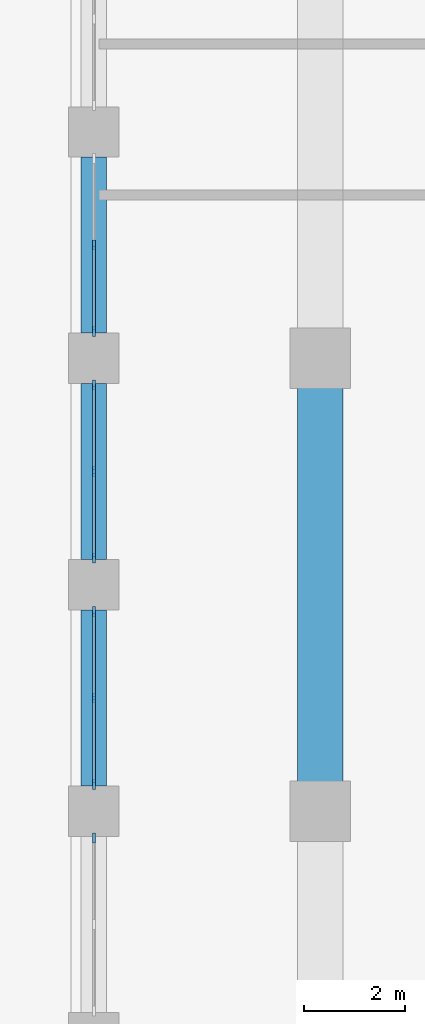
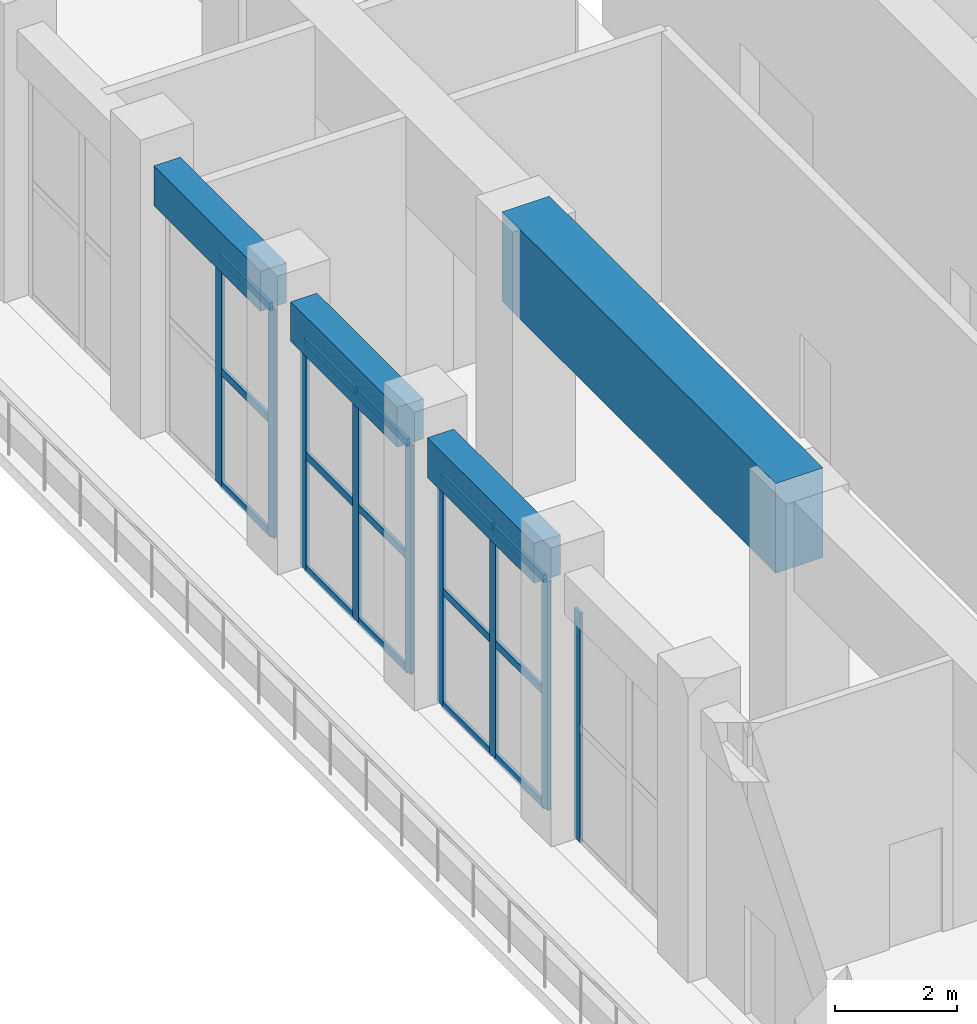
# One storey, part 3 of 25: 24 members, 4 beams, 4 elements without a shape of their own.
"""IFC4 building model written with IfcOpenShell, lengths in metres."""

import ifcopenshell
import ifcopenshell.guid

model = None  # the IFC model being written
_history = None  # IfcOwnerHistory: only IFC2X3 demands one
_inside = {}  # id of a spatial element -> (the spatial element, [elements in it])
_under = {}  # id of a project, library or spatial element -> (it, [spatial elements below it])
_declared = {}  # id of a project -> (the project, [libraries it declares])
_typed = {}  # id of a type object -> (the type object, [elements of that type])
_made_of = {}  # id of a material, layer set ... -> (it, [elements and type objects made of it])


def new_model(schema):
    """Start an empty IFC model of exactly this schema.

    Asked for "IFC4X3", IfcOpenShell would pick the latest addendum, in which some entities
    have other attributes; the version numbers below select the first issue.
    IFC2X3 requires an IfcOwnerHistory on every rooted entity: one is made here for all.
    """
    global model, _history
    if schema == "IFC4X3":
        model = ifcopenshell.file(schema_version=(4, 3, 0, 0))
    else:
        model = ifcopenshell.file(schema=schema)
    _inside.clear()
    _under.clear()
    _declared.clear()
    _typed.clear()
    _made_of.clear()
    _history = None
    if model.schema == "IFC2X3":
        org = make("IfcOrganization", Name="unknown")
        user = make(
            "IfcPersonAndOrganization",
            ThePerson=make("IfcPerson", FamilyName="unknown"),
            TheOrganization=org,
        )
        app = make(
            "IfcApplication",
            ApplicationDeveloper=org,
            Version="unknown",
            ApplicationFullName="unknown",
            ApplicationIdentifier="unknown",
        )
        _history = make(
            "IfcOwnerHistory",
            OwningUser=user,
            OwningApplication=app,
            ChangeAction="ADDED",
            CreationDate=0,
        )
    return model


def make(cls, **values):
    """One entity of the class cls with the attributes given. An attribute that is None is left unset."""
    return model.create_entity(
        cls, **{name: value for name, value in values.items() if value is not None}
    )


def rooted(cls, **values):
    """An entity with a GlobalId (a new one), such as an element, a storey or a relation."""
    return make(cls, GlobalId=ifcopenshell.guid.new(), OwnerHistory=_history, **values)


def si_unit(unit_type, name, prefix=None):
    """IfcSIUnit, for example si_unit("LENGTHUNIT", "METRE", prefix="MILLI")."""
    return make("IfcSIUnit", UnitType=unit_type, Prefix=prefix, Name=name)


def assignment(units):
    """IfcUnitAssignment: the units of a project."""
    return None if units is None else make("IfcUnitAssignment", Units=units)


def point(xyz):
    """IfcCartesianPoint."""
    return None if xyz is None else make("IfcCartesianPoint", Coordinates=xyz)


def direction(xyz):
    """IfcDirection."""
    return None if xyz is None else make("IfcDirection", DirectionRatios=xyz)


def frame(location, z_axis=None, x_axis=None):
    """IfcAxis2Placement3D, a coordinate frame: its origin and axes. An axis left out is left unset."""
    return make(
        "IfcAxis2Placement3D",
        Location=point(location),
        Axis=direction(z_axis),
        RefDirection=direction(x_axis),
    )


def frame_2d(location, x_axis=None):
    """IfcAxis2Placement2D, a coordinate frame in the plane: its origin and x axis."""
    return make(
        "IfcAxis2Placement2D", Location=point(location), RefDirection=direction(x_axis)
    )


def origin():
    """The frame at (0, 0, 0) with its axes left unset."""
    return frame((0.0, 0.0, 0.0))


def origin_2d():
    """The frame at (0, 0) in the plane with its x axis left unset."""
    return frame_2d((0.0, 0.0))


def place(relative_to, where):
    """IfcLocalPlacement: puts the frame where relative to a parent placement (None: the world)."""
    return make(
        "IfcLocalPlacement", PlacementRelTo=relative_to, RelativePlacement=where
    )


def context(
    kind, dimensions, precision=None, world=None, true_north=None, identifier=None
):
    """IfcGeometricRepresentationContext, for example the 3D "Model" context."""
    return make(
        "IfcGeometricRepresentationContext",
        ContextIdentifier=identifier,
        ContextType=kind,
        CoordinateSpaceDimension=dimensions,
        Precision=precision,
        WorldCoordinateSystem=world,
        TrueNorth=true_north,
    )


def subcontext(parent, identifier, kind, view, scale=None):
    """IfcGeometricRepresentationSubContext, for example "Body" below "Model"."""
    return make(
        "IfcGeometricRepresentationSubContext",
        ContextIdentifier=identifier,
        ContextType=kind,
        ParentContext=parent,
        TargetScale=scale,
        TargetView=view,
    )


def project(units=None, contexts=None):
    """IfcProject with its units and contexts."""
    return rooted(
        "IfcProject",
        Name="project",
        RepresentationContexts=contexts,
        UnitsInContext=assignment(units),
    )


def spatial(cls, under=None, at=None, **own):
    """A site, building, storey or space (cls), placed at a placement, below another one or the project."""
    s = rooted(cls, ObjectPlacement=at, **own)
    if under is not None:
        _under.setdefault(under.id(), (under, []))[1].append(s)
    return s


def profile(cls, at=None, kind="AREA", **sizes):
    """A parametric profile (cls). Its sizes go by their IFC names, for example OverallWidth=200.0."""
    return make(cls, ProfileType=kind, Position=at, **sizes)


def rectangle(**sizes):
    """IfcRectangleProfileDef."""
    return profile("IfcRectangleProfileDef", **sizes)


def extrude(swept, where, along, depth):
    """IfcExtrudedAreaSolid: the profile swept, set in the frame where, extruded along a direction by depth."""
    return make(
        "IfcExtrudedAreaSolid",
        SweptArea=swept,
        Position=where,
        ExtrudedDirection=direction(along),
        Depth=depth,
    )


def shape(context_of_items, identifier, shape_type, items):
    """IfcShapeRepresentation: the items that make up one representation, for example the "Body"."""
    return make(
        "IfcShapeRepresentation",
        ContextOfItems=context_of_items,
        RepresentationIdentifier=identifier,
        RepresentationType=shape_type,
        Items=items,
    )


def material(Name=None, Category=None):
    """IfcMaterial."""
    return make("IfcMaterial", Name=Name, Category=Category)


def material_profile(
    of_material, cross_section, Name=None, Category=None, Priority=None
):
    """IfcMaterialProfile: a cross section and its material."""
    return make(
        "IfcMaterialProfile",
        Name=Name,
        Material=of_material,
        Profile=cross_section,
        Priority=Priority,
        Category=Category,
    )


def profile_set(profiles, Name=None, composite=None):
    """IfcMaterialProfileSet."""
    return make(
        "IfcMaterialProfileSet",
        Name=Name,
        MaterialProfiles=profiles,
        CompositeProfile=composite,
    )


def made_of(thing, what):
    """Note that an element or type object is made of a material, layer set ...; save() writes the relation."""
    if what is not None:
        _made_of.setdefault(what.id(), (what, []))[1].append(thing)
    return thing


def type_object(cls, material=None, **own):
    """A type object (cls), such as IfcWallType, which elements share."""
    return made_of(rooted(cls, **own), material)


def element(
    cls,
    number,
    at=None,
    inside=None,
    cuts=None,
    type_object=None,
    material=None,
    context=None,
    identifier="Body",
    shape_type=None,
    held_by="IfcProductDefinitionShape",
    body=None,
    shapes=None,
    **own,
):
    """One element of the class cls, such as IfcWall. Its Tag is "e" and its number.

    at: its placement. inside: the storey or other place that contains it. cuts: it is an
    opening in that element (IfcRelVoidsElement). A single representation is given by context,
    identifier, shape_type and body (its items); several are given by shapes. held_by: the class
    of the entity that holds the representations. save() writes the other relations.
    """
    e = rooted(cls, Tag="e%d" % number, ObjectPlacement=at, **own)
    if body is not None:
        shapes = [shape(context, identifier, shape_type, body)]
    if shapes is not None:
        e.Representation = make(held_by, Representations=shapes)
    if inside is not None:
        _inside.setdefault(inside.id(), (inside, []))[1].append(e)
    if cuts is not None:
        rooted(
            "IfcRelVoidsElement", RelatingBuildingElement=cuts, RelatedOpeningElement=e
        )
    if type_object is not None:
        _typed.setdefault(type_object.id(), (type_object, []))[1].append(e)
    return made_of(e, material)


def aggregate(whole, parts):
    """IfcRelAggregates: a whole, such as a stair, and the parts it consists of."""
    return rooted("IfcRelAggregates", RelatingObject=whole, RelatedObjects=parts)


def save(model, path):
    """Write the relations noted so far, then the file.

    IfcRelAggregates (storeys below a building ...), IfcRelContainedInSpatialStructure (elements
    in a storey), IfcRelDefinesByType, IfcRelAssociatesMaterial and IfcRelDeclares: one each for
    every whole, place, type object, material and project.
    """
    for whole, parts in _under.values():
        aggregate(whole, parts)
    for where, things in _inside.values():
        rooted(
            "IfcRelContainedInSpatialStructure",
            RelatedElements=things,
            RelatingStructure=where,
        )
    for kind, things in _typed.values():
        rooted("IfcRelDefinesByType", RelatedObjects=things, RelatingType=kind)
    for what, things in _made_of.values():
        rooted("IfcRelAssociatesMaterial", RelatedObjects=things, RelatingMaterial=what)
    for by, libraries in _declared.values():
        rooted("IfcRelDeclares", RelatingContext=by, RelatedDefinitions=libraries)
    model.write(path)


model = new_model("IFC4")

# Units and contexts
model_context = context("Model", 3, precision=1e-05, world=origin(), true_north=direction((0.0, 1.0)))
body_context = subcontext(model_context, "Body", "Model", "MODEL_VIEW")
ifc_project = project(units=[si_unit("LENGTHUNIT", "METRE"), si_unit("AREAUNIT", "SQUARE_METRE"), si_unit("VOLUMEUNIT", "CUBIC_METRE"), si_unit("PLANEANGLEUNIT", "RADIAN"), si_unit("MASSUNIT", "GRAM", prefix="KILO")], contexts=[model_context])

# Site, building, storey
site_placement = place(None, origin())
site = spatial("IfcSite", under=ifc_project, at=site_placement, CompositionType="ELEMENT")
building_placement = place(site_placement, origin())
building = spatial("IfcBuilding", under=site, at=building_placement, Name="Corbel Stack Research Tower", CompositionType="ELEMENT")
storey_placement = place(building_placement, frame((0.0, 0.0, 220.199951171875)))
storey = spatial("IfcBuildingStorey", under=building, at=storey_placement, Name="L50", CompositionType="ELEMENT", Elevation=220.199951171875)

# Curtain wall, members
ifc_material_1 = material(Name="Aluminium frame, clear glass", Category="aluminium")
curtain_wall_type = type_object("IfcCurtainWallType", Name="Upper amenity floor curtain wall CW3", PredefinedType="NOTDEFINED", material=ifc_material_1)
curtain_wall_1_placement = place(storey_placement, origin())
curtain_wall_1 = element("IfcCurtainWall", 1, at=curtain_wall_1_placement, inside=storey, type_object=curtain_wall_type, Name="Curtain wall CW3 L50 W05", PredefinedType="NOTDEFINED")
ifc_material_2 = material(Name="Aluminium mullion", Category="aluminium")
ifc_material_profile_1 = material_profile(ifc_material_2, rectangle(XDim=0.06005859375, YDim=0.199951171875, at=origin_2d()), Name="Mullion 60 x 200")
ifc_profile_set_1 = profile_set([ifc_material_profile_1], Name="Aluminium mullion")
member_type_1 = type_object("IfcMemberType", Name="Curtain wall mullion 60 x 200", PredefinedType="MULLION", material=ifc_profile_set_1)
member_1_placement = place(storey_placement, frame((-22.5, 2.25, 0.0), z_axis=(0.0, 0.0, 1.0), x_axis=(1.0, 0.0, 0.0)))
member_1 = element("IfcMember", 2, at=member_1_placement, type_object=member_type_1, Name="CW3 mullion 2", PredefinedType="MULLION", context=body_context, shape_type="SweptSolid", body=[
    extrude(rectangle(XDim=0.06005859375, YDim=0.199951171875, at=origin_2d()), origin(), (0.0, 0.0, 1.0), 4.60009765625),
])
member_2_placement = place(storey_placement, frame((-22.5, 0.530029296875, 0.0), z_axis=(0.0, 0.0, 1.0), x_axis=(1.0, 0.0, 0.0)))
member_2 = element("IfcMember", 3, at=member_2_placement, type_object=member_type_1, Name="CW3 mullion 3", PredefinedType="MULLION", context=body_context, shape_type="SweptSolid", body=[
    extrude(rectangle(XDim=0.06005859375, YDim=0.199951171875, at=origin_2d()), origin(), (0.0, 0.0, 1.0), 4.60009765625),
])

curtain_wall_2_placement = place(storey_placement, origin())
curtain_wall_2 = element("IfcCurtainWall", 4, at=curtain_wall_2_placement, inside=storey, type_object=curtain_wall_type, Name="Curtain wall CW3 L50 W06", PredefinedType="NOTDEFINED")
member_3_placement = place(storey_placement, frame((-22.5, -0.530029296875, 0.0), z_axis=(0.0, 0.0, 1.0), x_axis=(1.0, 0.0, 0.0)))
member_3 = element("IfcMember", 5, at=member_3_placement, type_object=member_type_1, Name="CW3 mullion 1", PredefinedType="MULLION", context=body_context, shape_type="SweptSolid", body=[
    extrude(rectangle(XDim=0.06005859375, YDim=0.199951171875, at=origin_2d()), origin(), (0.0, 0.0, 1.0), 4.60009765625),
])
member_4_placement = place(storey_placement, frame((-22.5, -2.25, 0.0), z_axis=(0.0, 0.0, 1.0), x_axis=(1.0, 0.0, 0.0)))
member_4 = element("IfcMember", 6, at=member_4_placement, type_object=member_type_1, Name="CW3 mullion 2", PredefinedType="MULLION", context=body_context, shape_type="SweptSolid", body=[
    extrude(rectangle(XDim=0.06005859375, YDim=0.199951171875, at=origin_2d()), origin(), (0.0, 0.0, 1.0), 4.60009765625),
])
member_5_placement = place(storey_placement, frame((-22.5, -3.969970703125, 0.0), z_axis=(0.0, 0.0, 1.0), x_axis=(1.0, 0.0, 0.0)))
member_5 = element("IfcMember", 7, at=member_5_placement, type_object=member_type_1, Name="CW3 mullion 3", PredefinedType="MULLION", context=body_context, shape_type="SweptSolid", body=[
    extrude(rectangle(XDim=0.06005859375, YDim=0.199951171875, at=origin_2d()), origin(), (0.0, 0.0, 1.0), 4.60009765625),
])

curtain_wall_3_placement = place(storey_placement, origin())
curtain_wall_3 = element("IfcCurtainWall", 8, at=curtain_wall_3_placement, inside=storey, type_object=curtain_wall_type, Name="Curtain wall CW3 L50 W07", PredefinedType="NOTDEFINED")
member_6_placement = place(storey_placement, frame((-22.5, -5.030029296875, 0.0), z_axis=(0.0, 0.0, 1.0), x_axis=(1.0, 0.0, 0.0)))
member_6 = element("IfcMember", 9, at=member_6_placement, type_object=member_type_1, Name="CW3 mullion 1", PredefinedType="MULLION", context=body_context, shape_type="SweptSolid", body=[
    extrude(rectangle(XDim=0.06005859375, YDim=0.199951171875, at=origin_2d()), origin(), (0.0, 0.0, 1.0), 4.60009765625),
])
member_7_placement = place(storey_placement, frame((-22.5, -6.75, 0.0), z_axis=(0.0, 0.0, 1.0), x_axis=(1.0, 0.0, 0.0)))
member_7 = element("IfcMember", 10, at=member_7_placement, type_object=member_type_1, Name="CW3 mullion 2", PredefinedType="MULLION", context=body_context, shape_type="SweptSolid", body=[
    extrude(rectangle(XDim=0.06005859375, YDim=0.199951171875, at=origin_2d()), origin(), (0.0, 0.0, 1.0), 4.60009765625),
])
member_8_placement = place(storey_placement, frame((-22.5, -8.469970703125, 0.0), z_axis=(0.0, 0.0, 1.0), x_axis=(1.0, 0.0, 0.0)))
member_8 = element("IfcMember", 11, at=member_8_placement, type_object=member_type_1, Name="CW3 mullion 3", PredefinedType="MULLION", context=body_context, shape_type="SweptSolid", body=[
    extrude(rectangle(XDim=0.06005859375, YDim=0.199951171875, at=origin_2d()), origin(), (0.0, 0.0, 1.0), 4.60009765625),
])

# Curtain wall, member
curtain_wall_4_placement = place(storey_placement, origin())
curtain_wall_4 = element("IfcCurtainWall", 12, at=curtain_wall_4_placement, inside=storey, type_object=curtain_wall_type, Name="Curtain wall CW3 L50 W08", PredefinedType="NOTDEFINED")
member_9_placement = place(storey_placement, frame((-22.5, -9.530029296875, 0.0), z_axis=(0.0, 0.0, 1.0), x_axis=(1.0, 0.0, 0.0)))
member_9 = element("IfcMember", 13, at=member_9_placement, type_object=member_type_1, Name="CW3 mullion 1", PredefinedType="MULLION", context=body_context, shape_type="SweptSolid", body=[
    extrude(rectangle(XDim=0.06005859375, YDim=0.199951171875, at=origin_2d()), origin(), (0.0, 0.0, 1.0), 4.60009765625),
])
aggregate(curtain_wall_4, [member_9])

# Member
ifc_material_3 = material(Name="Aluminium transom", Category="aluminium")
ifc_material_profile_2 = material_profile(ifc_material_3, rectangle(XDim=0.06005859375, YDim=0.14990234375, at=origin_2d()), Name="Transom 60 x 150")
ifc_profile_set_2 = profile_set([ifc_material_profile_2], Name="Aluminium transom")
member_type_2 = type_object("IfcMemberType", Name="Curtain wall transom 60 x 150", PredefinedType="USERDEFINED", material=ifc_profile_set_2)
member_10_placement = place(storey_placement, frame((-22.5, 2.219970703125, 0.030029296875), z_axis=(0.0, -1.0, 0.0), x_axis=(1.0, 0.0, 0.0)))
member_10 = element("IfcMember", 14, at=member_10_placement, type_object=member_type_2, Name="CW3 transom 2.1", ObjectType="TRANSOM", PredefinedType="USERDEFINED", context=body_context, shape_type="SweptSolid", body=[
    extrude(rectangle(XDim=0.06005859375, YDim=0.14990234375, at=origin_2d()), origin(), (0.0, 0.0, 1.0), 1.659912109375),
])

member_11_placement = place(storey_placement, frame((-22.5, 2.219970703125, 2.300048828125), z_axis=(0.0, -1.0, 0.0), x_axis=(1.0, 0.0, 0.0)))
member_11 = element("IfcMember", 15, at=member_11_placement, type_object=member_type_2, Name="CW3 transom 2.2", ObjectType="TRANSOM", PredefinedType="USERDEFINED", context=body_context, shape_type="SweptSolid", body=[
    extrude(rectangle(XDim=0.06005859375, YDim=0.14990234375, at=origin_2d()), origin(), (0.0, 0.0, 1.0), 1.659912109375),
])

member_12_placement = place(storey_placement, frame((-22.5, 2.219970703125, 4.570068359375), z_axis=(0.0, -1.0, 0.0), x_axis=(1.0, 0.0, 0.0)))
member_12 = element("IfcMember", 16, at=member_12_placement, type_object=member_type_2, Name="CW3 transom 2.3", ObjectType="TRANSOM", PredefinedType="USERDEFINED", context=body_context, shape_type="SweptSolid", body=[
    extrude(rectangle(XDim=0.06005859375, YDim=0.14990234375, at=origin_2d()), origin(), (0.0, 0.0, 1.0), 1.659912109375),
])

aggregate(curtain_wall_1, [member_1, member_2, member_10, member_11, member_12])

member_13_placement = place(storey_placement, frame((-22.5, -0.56005859375, 0.030029296875), z_axis=(0.0, -1.0, 0.0), x_axis=(1.0, 0.0, 0.0)))
member_13 = element("IfcMember", 17, at=member_13_placement, type_object=member_type_2, Name="CW3 transom 1.1", ObjectType="TRANSOM", PredefinedType="USERDEFINED", context=body_context, shape_type="SweptSolid", body=[
    extrude(rectangle(XDim=0.06005859375, YDim=0.14990234375, at=origin_2d()), origin(), (0.0, 0.0, 1.0), 1.659912109375),
])

member_14_placement = place(storey_placement, frame((-22.5, -0.56005859375, 2.300048828125), z_axis=(0.0, -1.0, 0.0), x_axis=(1.0, 0.0, 0.0)))
member_14 = element("IfcMember", 18, at=member_14_placement, type_object=member_type_2, Name="CW3 transom 1.2", ObjectType="TRANSOM", PredefinedType="USERDEFINED", context=body_context, shape_type="SweptSolid", body=[
    extrude(rectangle(XDim=0.06005859375, YDim=0.14990234375, at=origin_2d()), origin(), (0.0, 0.0, 1.0), 1.659912109375),
])

member_15_placement = place(storey_placement, frame((-22.5, -0.56005859375, 4.570068359375), z_axis=(0.0, -1.0, 0.0), x_axis=(1.0, 0.0, 0.0)))
member_15 = element("IfcMember", 19, at=member_15_placement, type_object=member_type_2, Name="CW3 transom 1.3", ObjectType="TRANSOM", PredefinedType="USERDEFINED", context=body_context, shape_type="SweptSolid", body=[
    extrude(rectangle(XDim=0.06005859375, YDim=0.14990234375, at=origin_2d()), origin(), (0.0, 0.0, 1.0), 1.659912109375),
])

member_16_placement = place(storey_placement, frame((-22.5, -2.280029296875, 0.030029296875), z_axis=(0.0, -1.0, 0.0), x_axis=(1.0, 0.0, 0.0)))
member_16 = element("IfcMember", 20, at=member_16_placement, type_object=member_type_2, Name="CW3 transom 2.1", ObjectType="TRANSOM", PredefinedType="USERDEFINED", context=body_context, shape_type="SweptSolid", body=[
    extrude(rectangle(XDim=0.06005859375, YDim=0.14990234375, at=origin_2d()), origin(), (0.0, 0.0, 1.0), 1.659912109375),
])

member_17_placement = place(storey_placement, frame((-22.5, -2.280029296875, 2.300048828125), z_axis=(0.0, -1.0, 0.0), x_axis=(1.0, 0.0, 0.0)))
member_17 = element("IfcMember", 21, at=member_17_placement, type_object=member_type_2, Name="CW3 transom 2.2", ObjectType="TRANSOM", PredefinedType="USERDEFINED", context=body_context, shape_type="SweptSolid", body=[
    extrude(rectangle(XDim=0.06005859375, YDim=0.14990234375, at=origin_2d()), origin(), (0.0, 0.0, 1.0), 1.659912109375),
])

member_18_placement = place(storey_placement, frame((-22.5, -2.280029296875, 4.570068359375), z_axis=(0.0, -1.0, 0.0), x_axis=(1.0, 0.0, 0.0)))
member_18 = element("IfcMember", 22, at=member_18_placement, type_object=member_type_2, Name="CW3 transom 2.3", ObjectType="TRANSOM", PredefinedType="USERDEFINED", context=body_context, shape_type="SweptSolid", body=[
    extrude(rectangle(XDim=0.06005859375, YDim=0.14990234375, at=origin_2d()), origin(), (0.0, 0.0, 1.0), 1.659912109375),
])

aggregate(curtain_wall_2, [member_3, member_4, member_5, member_13, member_14, member_15, member_16, member_17, member_18])

member_19_placement = place(storey_placement, frame((-22.5, -5.06005859375, 0.030029296875), z_axis=(0.0, -1.0, 0.0), x_axis=(1.0, 0.0, 0.0)))
member_19 = element("IfcMember", 23, at=member_19_placement, type_object=member_type_2, Name="CW3 transom 1.1", ObjectType="TRANSOM", PredefinedType="USERDEFINED", context=body_context, shape_type="SweptSolid", body=[
    extrude(rectangle(XDim=0.06005859375, YDim=0.14990234375, at=origin_2d()), origin(), (0.0, 0.0, 1.0), 1.659912109375),
])

member_20_placement = place(storey_placement, frame((-22.5, -5.06005859375, 2.300048828125), z_axis=(0.0, -1.0, 0.0), x_axis=(1.0, 0.0, 0.0)))
member_20 = element("IfcMember", 24, at=member_20_placement, type_object=member_type_2, Name="CW3 transom 1.2", ObjectType="TRANSOM", PredefinedType="USERDEFINED", context=body_context, shape_type="SweptSolid", body=[
    extrude(rectangle(XDim=0.06005859375, YDim=0.14990234375, at=origin_2d()), origin(), (0.0, 0.0, 1.0), 1.659912109375),
])

member_21_placement = place(storey_placement, frame((-22.5, -5.06005859375, 4.570068359375), z_axis=(0.0, -1.0, 0.0), x_axis=(1.0, 0.0, 0.0)))
member_21 = element("IfcMember", 25, at=member_21_placement, type_object=member_type_2, Name="CW3 transom 1.3", ObjectType="TRANSOM", PredefinedType="USERDEFINED", context=body_context, shape_type="SweptSolid", body=[
    extrude(rectangle(XDim=0.06005859375, YDim=0.14990234375, at=origin_2d()), origin(), (0.0, 0.0, 1.0), 1.659912109375),
])

member_22_placement = place(storey_placement, frame((-22.5, -6.780029296875, 0.030029296875), z_axis=(0.0, -1.0, 0.0), x_axis=(1.0, 0.0, 0.0)))
member_22 = element("IfcMember", 26, at=member_22_placement, type_object=member_type_2, Name="CW3 transom 2.1", ObjectType="TRANSOM", PredefinedType="USERDEFINED", context=body_context, shape_type="SweptSolid", body=[
    extrude(rectangle(XDim=0.06005859375, YDim=0.14990234375, at=origin_2d()), origin(), (0.0, 0.0, 1.0), 1.659912109375),
])

member_23_placement = place(storey_placement, frame((-22.5, -6.780029296875, 2.300048828125), z_axis=(0.0, -1.0, 0.0), x_axis=(1.0, 0.0, 0.0)))
member_23 = element("IfcMember", 27, at=member_23_placement, type_object=member_type_2, Name="CW3 transom 2.2", ObjectType="TRANSOM", PredefinedType="USERDEFINED", context=body_context, shape_type="SweptSolid", body=[
    extrude(rectangle(XDim=0.06005859375, YDim=0.14990234375, at=origin_2d()), origin(), (0.0, 0.0, 1.0), 1.659912109375),
])

member_24_placement = place(storey_placement, frame((-22.5, -6.780029296875, 4.570068359375), z_axis=(0.0, -1.0, 0.0), x_axis=(1.0, 0.0, 0.0)))
member_24 = element("IfcMember", 28, at=member_24_placement, type_object=member_type_2, Name="CW3 transom 2.3", ObjectType="TRANSOM", PredefinedType="USERDEFINED", context=body_context, shape_type="SweptSolid", body=[
    extrude(rectangle(XDim=0.06005859375, YDim=0.14990234375, at=origin_2d()), origin(), (0.0, 0.0, 1.0), 1.659912109375),
])

aggregate(curtain_wall_3, [member_6, member_7, member_8, member_19, member_20, member_21, member_22, member_23, member_24])

# Beams
ifc_material_4 = material(Name="Concrete C60/75", Category="concrete")
ifc_material_profile_3 = material_profile(ifc_material_4, rectangle(XDim=0.5, YDim=0.800048828125, at=origin_2d()), Name="RC 500 x 800")
ifc_profile_set_3 = profile_set([ifc_material_profile_3], Name="Concrete C60/75")
beam_type_1 = type_object("IfcBeamType", Name="SB-500-800-600", PredefinedType="SPANDREL", material=ifc_profile_set_3)
for number, where, z_axis, x_axis, name in (
    (29, (-22.5, 4.0, 5.0), (0.0, -1.0, 0.0), (1.0, 0.0, 0.0), "Spandrel beam L50-38"),
    (30, (-22.5, -0.5, 5.0), (0.0, -1.0, 0.0), (1.0, 0.0, 0.0), "Spandrel beam L50-39"),
    (31, (-22.5, -5.0, 5.0), (0.0, -1.0, 0.0), (1.0, 0.0, 0.0), "Spandrel beam L50-40"),
):
    element("IfcBeam", number, at=place(storey_placement, frame(where, z_axis=z_axis, x_axis=x_axis)), inside=storey, type_object=beam_type_1, Name=name, PredefinedType="SPANDREL", context=body_context, shape_type="SweptSolid", body=[
        extrude(rectangle(XDim=0.5, YDim=0.800048828125, at=origin_2d()), origin(), (0.0, 0.0, 1.0), 3.5),
    ])
ifc_material_5 = material(Name="Concrete C60/75", Category="concrete")
ifc_material_profile_4 = material_profile(ifc_material_5, rectangle(XDim=0.89990234375, YDim=1.800048828125, at=origin_2d()), Name="RC 900 x 1800")
ifc_profile_set_4 = profile_set([ifc_material_profile_4], Name="Concrete C60/75")
beam_type_2 = type_object("IfcBeamType", Name="TG-900-1800", PredefinedType="BEAM", material=ifc_profile_set_4)
beam_placement = place(storey_placement, frame((-18.0, -9.0, 4.5), z_axis=(0.0, 1.0, 0.0), x_axis=(-1.0, 0.0, 0.0)))
element("IfcBeam", 32, at=beam_placement, inside=storey, type_object=beam_type_2, Name="Transfer girder along the step L50 Wl-9", PredefinedType="BEAM", context=body_context, shape_type="SweptSolid", body=[
    extrude(rectangle(XDim=0.89990234375, YDim=1.800048828125, at=origin_2d()), origin(), (0.0, 0.0, 1.0), 9.0),
])

save(model, "model.ifc")
